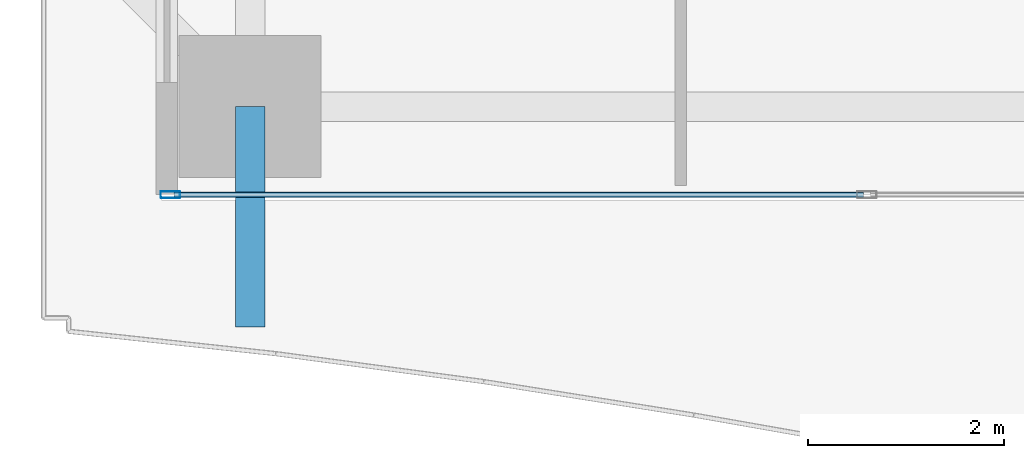
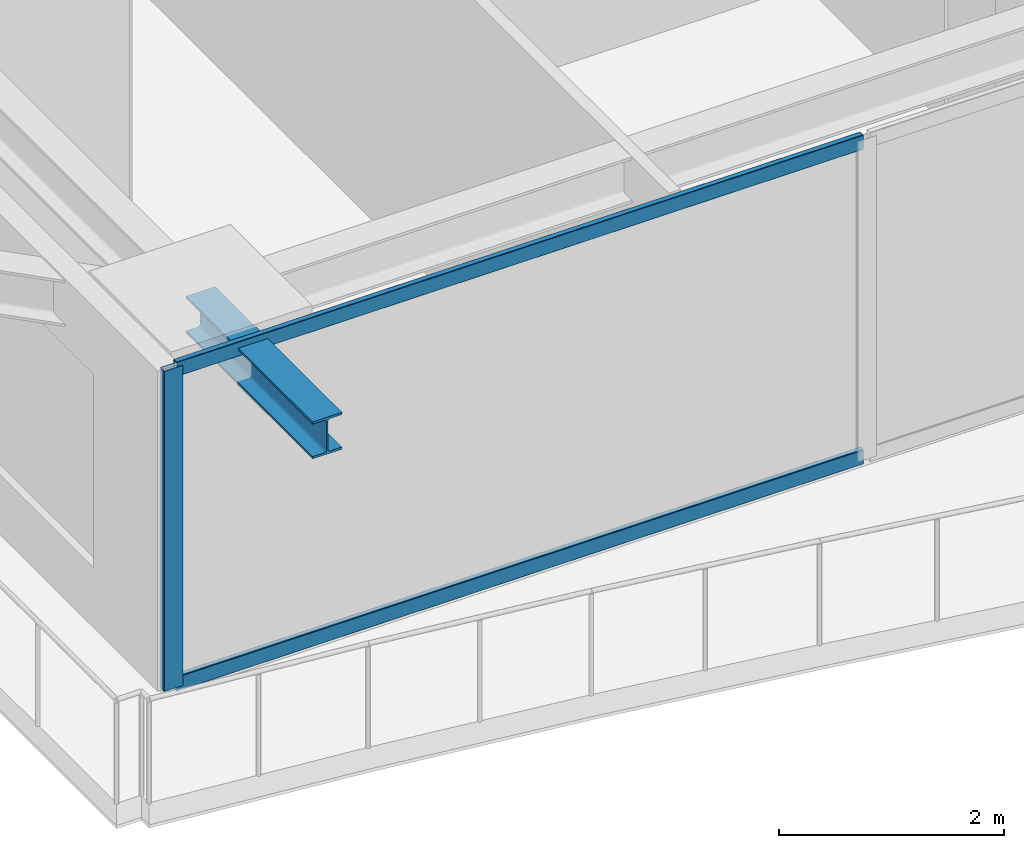
# One storey, part 2 of 40: 3 members, 1 beam, 1 element without a shape of its own.
"""IFC4 building model written with IfcOpenShell, lengths in metres."""

from ifc_helpers import new_model, si_unit, direction, frame, origin, origin_2d, place, context, subcontext, project, spatial, hollow_rectangle, i_section, extrude, source, transform, mapped, material, layer, layer_set, material_profile, profile_set, type_object, element, aggregate, save


model = new_model("IFC4")

# Units and contexts
model_context = context("Model", 3, precision=1e-05, world=origin(), true_north=direction((0.0, 1.0)))
body_context = subcontext(model_context, "Body", "Model", "MODEL_VIEW")
ifc_project = project(units=[si_unit("LENGTHUNIT", "METRE"), si_unit("AREAUNIT", "SQUARE_METRE"), si_unit("VOLUMEUNIT", "CUBIC_METRE"), si_unit("PLANEANGLEUNIT", "RADIAN"), si_unit("MASSUNIT", "GRAM", prefix="KILO")], contexts=[model_context])

# Site, building, storey
site_placement = place(None, origin())
site = spatial("IfcSite", under=ifc_project, at=site_placement, CompositionType="ELEMENT")
building_placement = place(site_placement, origin())
building = spatial("IfcBuilding", under=site, at=building_placement, Name="Serunith Strait Residences", CompositionType="ELEMENT")
storey_placement = place(building_placement, frame((0.0, 0.0, 90.449951171875)))
storey = spatial("IfcBuildingStorey", under=building, at=storey_placement, Name="L22", CompositionType="ELEMENT", Elevation=90.449951171875)

# Beam
ifc_material_1 = material(Name="Steel S355J2", Category="steel")
ifc_material_profile_1 = material_profile(ifc_material_1, i_section(OverallWidth=0.300048828125, OverallDepth=0.39990234375, WebThickness=0.013427734375, FlangeThickness=0.02392578125, FilletRadius=0.027099609375, at=origin_2d()), Name="HEB 400")
ifc_profile_set_1 = profile_set([ifc_material_profile_1], Name="Steel S355J2")
beam_type = type_object("IfcBeamType", Name="BM-HEB400", PredefinedType="BEAM", material=ifc_profile_set_1)
shared_shape_1 = source(origin(), body_context, "Body", "SweptSolid", [
    extrude(i_section(OverallWidth=0.300048828125, OverallDepth=0.39990234375, WebThickness=0.013427734375, FlangeThickness=0.02392578125, FilletRadius=0.027099609375, at=origin_2d()), origin(), (0.0, 0.0, 1.0), 2.251708984375),
])
beam_placement = place(storey_placement, frame((15.25, 1.10009765625, 3.257080078125), z_axis=(0.0, -1.0, 0.0), x_axis=(1.0, 0.0, 0.0)))
element("IfcBeam", 1, at=beam_placement, inside=storey, type_object=beam_type, Name="L23 Cantilevered Balcony Rib TC-S1", PredefinedType="BEAM", context=body_context, shape_type="MappedRepresentation", body=[
    mapped(shared_shape_1, transform((0.0, 0.0, 0.0), scale=1.0)),
])

# Curtain wall, members
ifc_material_2 = material(Name="Pale-Champagne Anodised Aluminium", Category="aluminium")
ifc_layer = layer(ifc_material_2, 0.199951171875, Name="Pale-Champagne Anodised Aluminium")
ifc_layer_set = layer_set([ifc_layer], Name="Pale-Champagne Anodised Aluminium")
curtain_wall_type = type_object("IfcCurtainWallType", Name="CW-SYS1", PredefinedType="NOTDEFINED", material=ifc_layer_set)
curtain_wall_placement = place(storey_placement, origin())
curtain_wall = element("IfcCurtainWall", 2, at=curtain_wall_placement, inside=storey, type_object=curtain_wall_type, Name="L22 S Unitised Fritted Curtain Wall", PredefinedType="NOTDEFINED")
ifc_material_profile_2 = material_profile(ifc_material_2, hollow_rectangle(XDim=0.070068359375, YDim=0.199951171875, WallThickness=0.00390625, InnerFilletRadius=0.006103515625, OuterFilletRadius=0.010009765625, at=origin_2d()), Name="ALU 200x70x4")
ifc_profile_set_2 = profile_set([ifc_material_profile_2], Name="Pale-Champagne Anodised Aluminium")
member_type_1 = type_object("IfcMemberType", Name="CW-SYS1-MULL", PredefinedType="MULLION", material=ifc_profile_set_2)
shared_shape_2 = source(origin(), body_context, "Body", "SweptSolid", [
    extrude(hollow_rectangle(XDim=0.070068359375, YDim=0.199951171875, WallThickness=0.00390625, InnerFilletRadius=0.006103515625, OuterFilletRadius=0.010009765625, at=origin_2d()), origin(), (0.0, 0.0, 1.0), 3.47509765625),
])
member_1_placement = place(storey_placement, frame((14.43505859375, 0.199951171875, 0.0), z_axis=(0.0, 0.0, 1.0), x_axis=(0.0, 1.0, 0.0)))
member_1 = element("IfcMember", 3, at=member_1_placement, type_object=member_type_1, Name="CW-1 mullion 1", PredefinedType="MULLION", context=body_context, shape_type="MappedRepresentation", body=[
    mapped(shared_shape_2, transform((0.0, 0.0, 0.0), scale=1.0)),
])
ifc_material_profile_3 = material_profile(ifc_material_2, hollow_rectangle(XDim=0.06005859375, YDim=0.159912109375, WallThickness=0.00341796875, InnerFilletRadius=0.00537109375, OuterFilletRadius=0.0087890625, at=origin_2d()), Name="ALU 160x60x3.5")
ifc_profile_set_3 = profile_set([ifc_material_profile_3], Name="Pale-Champagne Anodised Aluminium")
member_type_2 = type_object("IfcMemberType", Name="CW-SYS1-TRAN", PredefinedType="USERDEFINED", material=ifc_profile_set_3)
shared_shape_3 = source(origin(), body_context, "Body", "SweptSolid", [
    extrude(hollow_rectangle(XDim=0.06005859375, YDim=0.159912109375, WallThickness=0.00341796875, InnerFilletRadius=0.00537109375, OuterFilletRadius=0.0087890625, at=origin_2d()), origin(), (0.0, 0.0, 1.0), 7.044921875),
])
member_2_placement = place(storey_placement, frame((14.469970703125, 0.199951171875, 0.030029296875), z_axis=(1.0, 0.0, 0.0), x_axis=(0.0, 1.0, 0.0)))
member_2 = element("IfcMember", 4, at=member_2_placement, type_object=member_type_2, Name="CW-1 transom 1.1", ObjectType="TRANSOM", PredefinedType="USERDEFINED", context=body_context, shape_type="MappedRepresentation", body=[
    mapped(shared_shape_3, transform((0.0, 0.0, 0.0), scale=1.0)),
])
member_3_placement = place(storey_placement, frame((14.469970703125, 0.199951171875, 3.445068359375), z_axis=(1.0, 0.0, 0.0), x_axis=(0.0, 1.0, 0.0)))
member_3 = element("IfcMember", 5, at=member_3_placement, type_object=member_type_2, Name="CW-1 transom 1.2", ObjectType="TRANSOM", PredefinedType="USERDEFINED", context=body_context, shape_type="MappedRepresentation", body=[
    mapped(shared_shape_3, transform((0.0, 0.0, 0.0), scale=1.0)),
])
aggregate(curtain_wall, [member_1, member_2, member_3])

save(model, "model.ifc")
